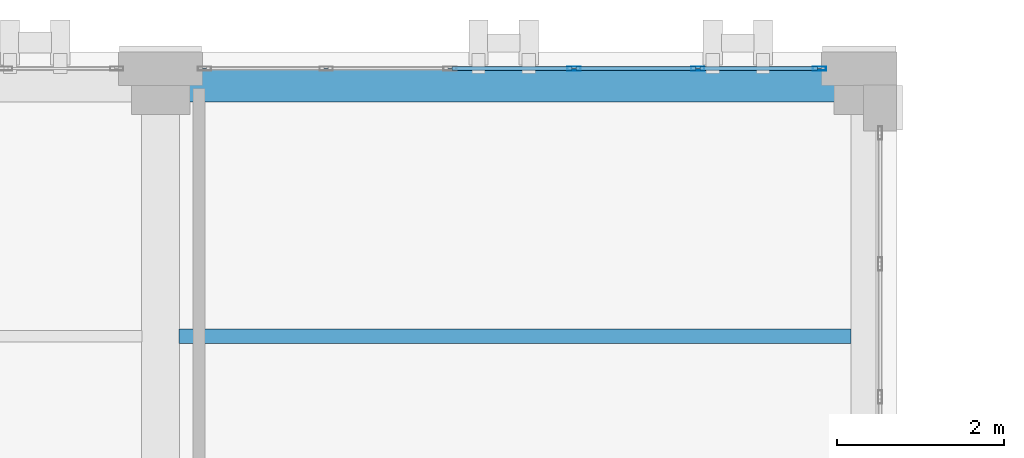
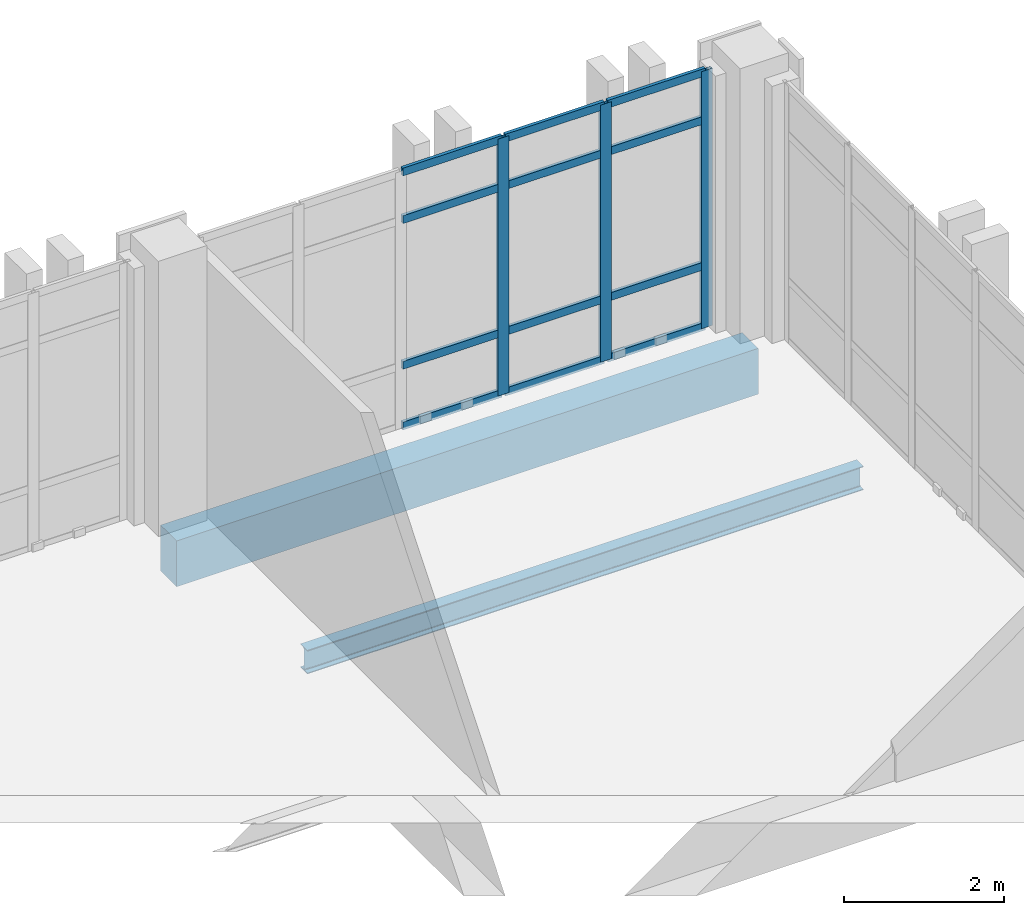
# One storey, part 96 of 158: 15 members, 2 beams, 1 element without a shape of its own.
"""IFC4 building model written with IfcOpenShell, lengths in metres."""

from ifc_helpers import new_model, si_unit, direction, frame, origin, origin_2d, place, context, subcontext, project, spatial, rectangle, hollow_rectangle, i_section, extrude, material, layer, layer_set, material_profile, profile_set, type_object, element, aggregate, save


model = new_model("IFC4")

# Units and contexts
model_context = context("Model", 3, precision=1e-05, world=origin(), true_north=direction((0.0, 1.0)))
body_context = subcontext(model_context, "Body", "Model", "MODEL_VIEW")
ifc_project = project(units=[si_unit("LENGTHUNIT", "METRE"), si_unit("AREAUNIT", "SQUARE_METRE"), si_unit("VOLUMEUNIT", "CUBIC_METRE"), si_unit("PLANEANGLEUNIT", "RADIAN"), si_unit("MASSUNIT", "GRAM", prefix="KILO")], contexts=[model_context])

# Site, building, storey
site_placement = place(None, origin())
site = spatial("IfcSite", under=ifc_project, at=site_placement, CompositionType="ELEMENT")
building_placement = place(site_placement, origin())
building = spatial("IfcBuilding", under=site, at=building_placement, Name="Qalavern Law Courts", CompositionType="ELEMENT")
storey_placement = place(building_placement, frame((0.0, 0.0, 18.60009765625)))
storey = spatial("IfcBuildingStorey", under=building, at=storey_placement, Name="L04", CompositionType="ELEMENT", Elevation=18.60009765625)

# Curtain wall, members
ifc_material_1 = material(Name="Anodised aluminium and insulated glazing", Category="aluminium")
ifc_layer = layer(ifc_material_1, 0.166015625)
ifc_layer_set = layer_set([ifc_layer], Name="Anodised aluminium and insulated glazing")
curtain_wall_type = type_object("IfcCurtainWallType", Name="ENV-CW-LIB", PredefinedType="USERDEFINED", material=ifc_layer_set)
curtain_wall_placement = place(storey_placement, origin())
curtain_wall = element("IfcCurtainWall", 1, at=curtain_wall_placement, inside=storey, type_object=curtain_wall_type, Name="V5 unitised curtain wall L04 north 1", ObjectType="UNITISED CURTAIN WALL", PredefinedType="USERDEFINED")
ifc_material_2 = material(Name="Anodised aluminium", Category="aluminium")
ifc_material_profile_1 = material_profile(ifc_material_2, hollow_rectangle(XDim=0.048095703125, YDim=0.159912109375, WallThickness=0.00390625, at=origin_2d()), Name="ALU MULLION 48x160")
ifc_profile_set_1 = profile_set([ifc_material_profile_1], Name="Anodised aluminium")
member_type_1 = type_object("IfcMemberType", Name="ENV-CWM-48x160", PredefinedType="MULLION", material=ifc_profile_set_1)
member_1_placement = place(storey_placement, frame((65.8759765625, 112.800048828125, 0.0), z_axis=(0.0, 0.0, 1.0), x_axis=(0.0, -1.0, 0.0)))
member_1 = element("IfcMember", 2, at=member_1_placement, type_object=member_type_1, Name="CW-05 mullion 1", PredefinedType="MULLION", context=body_context, shape_type="SweptSolid", body=[
    extrude(hollow_rectangle(XDim=0.048095703125, YDim=0.159912109375, WallThickness=0.00390625, at=origin_2d()), origin(), (0.0, 0.0, 1.0), 3.9248046875),
])
member_2_placement = place(storey_placement, frame((64.419921875, 112.800048828125, 0.0), z_axis=(0.0, 0.0, 1.0), x_axis=(0.0, -1.0, 0.0)))
member_2 = element("IfcMember", 3, at=member_2_placement, type_object=member_type_1, Name="CW-05 mullion 2", PredefinedType="MULLION", context=body_context, shape_type="SweptSolid", body=[
    extrude(hollow_rectangle(XDim=0.048095703125, YDim=0.159912109375, WallThickness=0.00390625, at=origin_2d()), origin(), (0.0, 0.0, 1.0), 3.9248046875),
])
member_3_placement = place(storey_placement, frame((62.93994140625, 112.800048828125, 0.0), z_axis=(0.0, 0.0, 1.0), x_axis=(0.0, -1.0, 0.0)))
member_3 = element("IfcMember", 4, at=member_3_placement, type_object=member_type_1, Name="CW-05 mullion 3", PredefinedType="MULLION", context=body_context, shape_type="SweptSolid", body=[
    extrude(hollow_rectangle(XDim=0.048095703125, YDim=0.159912109375, WallThickness=0.00390625, at=origin_2d()), origin(), (0.0, 0.0, 1.0), 3.9248046875),
])
ifc_material_profile_2 = material_profile(ifc_material_2, hollow_rectangle(XDim=0.048095703125, YDim=0.1201171875, WallThickness=0.00390625, at=origin_2d()), Name="ALU TRANSOM 48x120")
ifc_profile_set_2 = profile_set([ifc_material_profile_2], Name="Anodised aluminium")
member_type_2 = type_object("IfcMemberType", Name="ENV-CWT-48x120", PredefinedType="USERDEFINED", material=ifc_profile_set_2)
member_4_placement = place(storey_placement, frame((65.85205078125, 112.800048828125, 0.02392578125), z_axis=(-1.0, 0.0, 0.0), x_axis=(0.0, -1.0, 0.0)))
member_4 = element("IfcMember", 5, at=member_4_placement, type_object=member_type_2, Name="CW-05 transom 1.1", ObjectType="TRANSOM", PredefinedType="USERDEFINED", context=body_context, shape_type="SweptSolid", body=[
    extrude(hollow_rectangle(XDim=0.048095703125, YDim=0.1201171875, WallThickness=0.00390625, at=origin_2d()), origin(), (0.0, 0.0, 1.0), 1.407958984375),
])
member_5_placement = place(storey_placement, frame((65.85205078125, 112.800048828125, 0.949951171875), z_axis=(-1.0, 0.0, 0.0), x_axis=(0.0, -1.0, 0.0)))
member_5 = element("IfcMember", 6, at=member_5_placement, type_object=member_type_2, Name="CW-05 transom 1.2", ObjectType="TRANSOM", PredefinedType="USERDEFINED", context=body_context, shape_type="SweptSolid", body=[
    extrude(hollow_rectangle(XDim=0.048095703125, YDim=0.1201171875, WallThickness=0.00390625, at=origin_2d()), origin(), (0.0, 0.0, 1.0), 1.407958984375),
])
member_6_placement = place(storey_placement, frame((65.85205078125, 112.800048828125, 3.1748046875), z_axis=(-1.0, 0.0, 0.0), x_axis=(0.0, -1.0, 0.0)))
member_6 = element("IfcMember", 7, at=member_6_placement, type_object=member_type_2, Name="CW-05 transom 1.3", ObjectType="TRANSOM", PredefinedType="USERDEFINED", context=body_context, shape_type="SweptSolid", body=[
    extrude(hollow_rectangle(XDim=0.048095703125, YDim=0.1201171875, WallThickness=0.00390625, at=origin_2d()), origin(), (0.0, 0.0, 1.0), 1.407958984375),
])
member_7_placement = place(storey_placement, frame((65.85205078125, 112.800048828125, 3.90087890625), z_axis=(-1.0, 0.0, 0.0), x_axis=(0.0, -1.0, 0.0)))
member_7 = element("IfcMember", 8, at=member_7_placement, type_object=member_type_2, Name="CW-05 transom 1.4", ObjectType="TRANSOM", PredefinedType="USERDEFINED", context=body_context, shape_type="SweptSolid", body=[
    extrude(hollow_rectangle(XDim=0.048095703125, YDim=0.1201171875, WallThickness=0.00390625, at=origin_2d()), origin(), (0.0, 0.0, 1.0), 1.407958984375),
])
member_8_placement = place(storey_placement, frame((64.39599609375, 112.800048828125, 0.02392578125), z_axis=(-1.0, 0.0, 0.0), x_axis=(0.0, -1.0, 0.0)))
member_8 = element("IfcMember", 9, at=member_8_placement, type_object=member_type_2, Name="CW-05 transom 2.1", ObjectType="TRANSOM", PredefinedType="USERDEFINED", context=body_context, shape_type="SweptSolid", body=[
    extrude(hollow_rectangle(XDim=0.048095703125, YDim=0.1201171875, WallThickness=0.00390625, at=origin_2d()), origin(), (0.0, 0.0, 1.0), 1.431884765625),
])
member_9_placement = place(storey_placement, frame((64.39599609375, 112.800048828125, 0.949951171875), z_axis=(-1.0, 0.0, 0.0), x_axis=(0.0, -1.0, 0.0)))
member_9 = element("IfcMember", 10, at=member_9_placement, type_object=member_type_2, Name="CW-05 transom 2.2", ObjectType="TRANSOM", PredefinedType="USERDEFINED", context=body_context, shape_type="SweptSolid", body=[
    extrude(hollow_rectangle(XDim=0.048095703125, YDim=0.1201171875, WallThickness=0.00390625, at=origin_2d()), origin(), (0.0, 0.0, 1.0), 1.431884765625),
])
member_10_placement = place(storey_placement, frame((64.39599609375, 112.800048828125, 3.1748046875), z_axis=(-1.0, 0.0, 0.0), x_axis=(0.0, -1.0, 0.0)))
member_10 = element("IfcMember", 11, at=member_10_placement, type_object=member_type_2, Name="CW-05 transom 2.3", ObjectType="TRANSOM", PredefinedType="USERDEFINED", context=body_context, shape_type="SweptSolid", body=[
    extrude(hollow_rectangle(XDim=0.048095703125, YDim=0.1201171875, WallThickness=0.00390625, at=origin_2d()), origin(), (0.0, 0.0, 1.0), 1.431884765625),
])
member_11_placement = place(storey_placement, frame((64.39599609375, 112.800048828125, 3.90087890625), z_axis=(-1.0, 0.0, 0.0), x_axis=(0.0, -1.0, 0.0)))
member_11 = element("IfcMember", 12, at=member_11_placement, type_object=member_type_2, Name="CW-05 transom 2.4", ObjectType="TRANSOM", PredefinedType="USERDEFINED", context=body_context, shape_type="SweptSolid", body=[
    extrude(hollow_rectangle(XDim=0.048095703125, YDim=0.1201171875, WallThickness=0.00390625, at=origin_2d()), origin(), (0.0, 0.0, 1.0), 1.431884765625),
])
member_12_placement = place(storey_placement, frame((62.916015625, 112.800048828125, 0.02392578125), z_axis=(-1.0, 0.0, 0.0), x_axis=(0.0, -1.0, 0.0)))
member_12 = element("IfcMember", 13, at=member_12_placement, type_object=member_type_2, Name="CW-05 transom 3.1", ObjectType="TRANSOM", PredefinedType="USERDEFINED", context=body_context, shape_type="SweptSolid", body=[
    extrude(hollow_rectangle(XDim=0.048095703125, YDim=0.1201171875, WallThickness=0.00390625, at=origin_2d()), origin(), (0.0, 0.0, 1.0), 1.43212890625),
])
member_13_placement = place(storey_placement, frame((62.916015625, 112.800048828125, 0.949951171875), z_axis=(-1.0, 0.0, 0.0), x_axis=(0.0, -1.0, 0.0)))
member_13 = element("IfcMember", 14, at=member_13_placement, type_object=member_type_2, Name="CW-05 transom 3.2", ObjectType="TRANSOM", PredefinedType="USERDEFINED", context=body_context, shape_type="SweptSolid", body=[
    extrude(hollow_rectangle(XDim=0.048095703125, YDim=0.1201171875, WallThickness=0.00390625, at=origin_2d()), origin(), (0.0, 0.0, 1.0), 1.43212890625),
])
member_14_placement = place(storey_placement, frame((62.916015625, 112.800048828125, 3.1748046875), z_axis=(-1.0, 0.0, 0.0), x_axis=(0.0, -1.0, 0.0)))
member_14 = element("IfcMember", 15, at=member_14_placement, type_object=member_type_2, Name="CW-05 transom 3.3", ObjectType="TRANSOM", PredefinedType="USERDEFINED", context=body_context, shape_type="SweptSolid", body=[
    extrude(hollow_rectangle(XDim=0.048095703125, YDim=0.1201171875, WallThickness=0.00390625, at=origin_2d()), origin(), (0.0, 0.0, 1.0), 1.43212890625),
])
member_15_placement = place(storey_placement, frame((62.916015625, 112.800048828125, 3.90087890625), z_axis=(-1.0, 0.0, 0.0), x_axis=(0.0, -1.0, 0.0)))
member_15 = element("IfcMember", 16, at=member_15_placement, type_object=member_type_2, Name="CW-05 transom 3.4", ObjectType="TRANSOM", PredefinedType="USERDEFINED", context=body_context, shape_type="SweptSolid", body=[
    extrude(hollow_rectangle(XDim=0.048095703125, YDim=0.1201171875, WallThickness=0.00390625, at=origin_2d()), origin(), (0.0, 0.0, 1.0), 1.43212890625),
])
aggregate(curtain_wall, [member_1, member_2, member_3, member_4, member_5, member_6, member_7, member_8, member_9, member_10, member_11, member_12, member_13, member_14, member_15])

# Beams
ifc_material_3 = material(Name="Steel S355", Category="steel")
ifc_material_profile_3 = material_profile(ifc_material_3, i_section(OverallWidth=0.169921875, OverallDepth=0.360107421875, WebThickness=0.008056640625, FlangeThickness=0.0126953125, FilletRadius=0.01806640625, at=origin_2d()), Name="IPE 360")
ifc_profile_set_3 = profile_set([ifc_material_profile_3], Name="Steel S355")
beam_type_1 = type_object("IfcBeamType", Name="STR-JST-IPE360", PredefinedType="JOIST", material=ifc_profile_set_3)
beam_1_placement = place(storey_placement, frame((58.222900390625, 109.60009765625, -0.460205078125), z_axis=(1.0, 0.0, 0.0), x_axis=(0.0, 1.0, 0.0)))
element("IfcBeam", 17, at=beam_1_placement, inside=storey, type_object=beam_type_1, Name="V5 secondary joist 8.2.2 L04", PredefinedType="JOIST", context=body_context, shape_type="SweptSolid", body=[
    extrude(i_section(OverallWidth=0.169921875, OverallDepth=0.360107421875, WebThickness=0.008056640625, FlangeThickness=0.0126953125, FilletRadius=0.01806640625, at=origin_2d()), origin(), (0.0, 0.0, 1.0), 8.029052734375),
])
ifc_material_4 = material(Name="Concrete C40/50", Category="concrete")
ifc_material_profile_4 = material_profile(ifc_material_4, rectangle(XDim=0.39990234375, YDim=0.699951171875, at=origin_2d()), Name="RC 400x700")
ifc_profile_set_4 = profile_set([ifc_material_profile_4], Name="Concrete C40/50")
beam_type_2 = type_object("IfcBeamType", Name="STR-SP-RC400x700", PredefinedType="SPANDREL", material=ifc_profile_set_4)
beam_2_placement = place(storey_placement, frame((58.0, 112.60009765625, -0.630126953125), z_axis=(1.0, 0.0, 0.0), x_axis=(0.0, 1.0, 0.0)))
element("IfcBeam", 18, at=beam_2_placement, inside=storey, type_object=beam_type_2, Name="V5 X-beam 3-8 L04", PredefinedType="SPANDREL", context=body_context, shape_type="SweptSolid", body=[
    extrude(rectangle(XDim=0.39990234375, YDim=0.699951171875, at=origin_2d()), origin(), (0.0, 0.0, 1.0), 8.39990234375),
])

save(model, "model.ifc")
